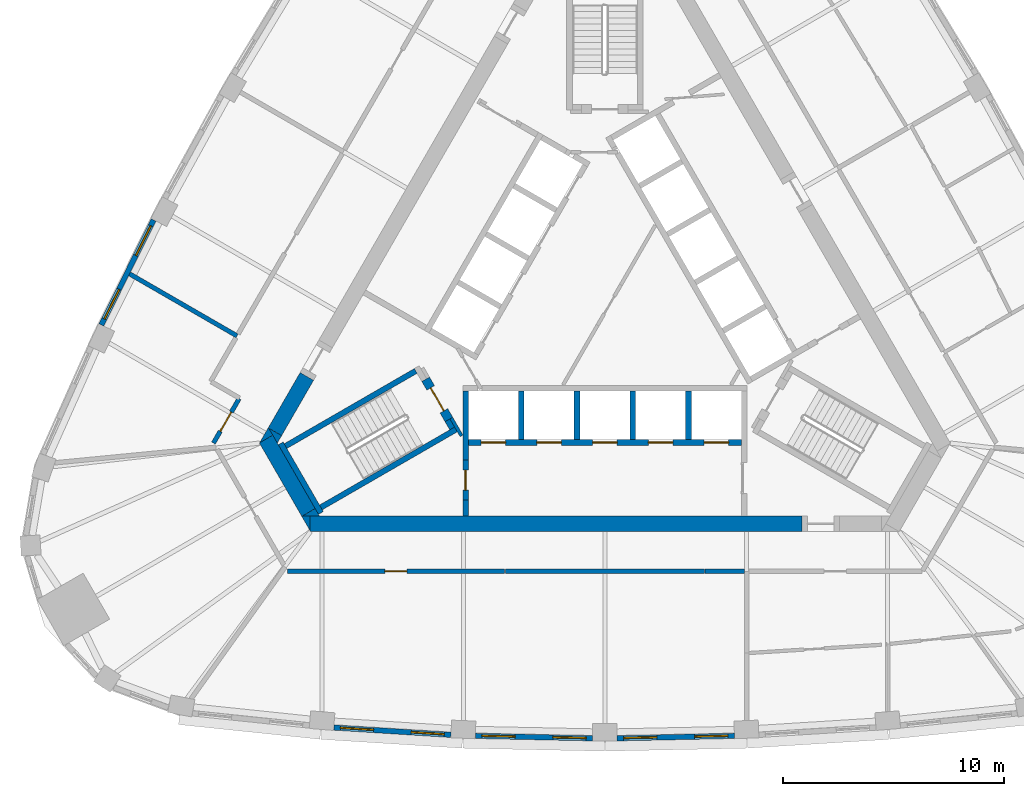
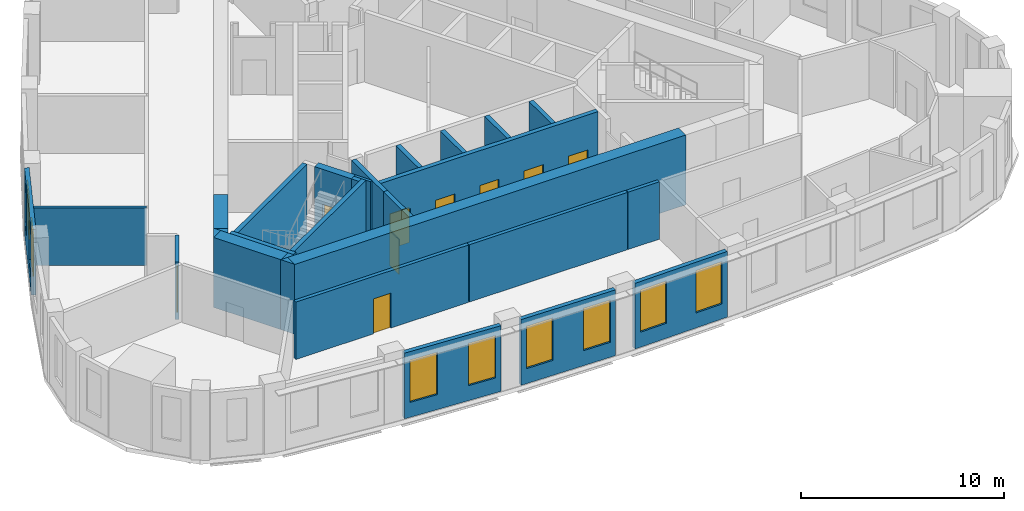
# One storey, part 3 of 10: 30 walls, 9 doors, 8 windows, 17 openings.
"""IFC4 building model written with IfcOpenShell, lengths in metres."""

import ifcopenshell
import ifcopenshell.guid

model = None  # the IFC model being written
_history = None  # IfcOwnerHistory: only IFC2X3 demands one
_inside = {}  # id of a spatial element -> (the spatial element, [elements in it])
_under = {}  # id of a project, library or spatial element -> (it, [spatial elements below it])
_declared = {}  # id of a project -> (the project, [libraries it declares])
_typed = {}  # id of a type object -> (the type object, [elements of that type])
_made_of = {}  # id of a material, layer set ... -> (it, [elements and type objects made of it])


def new_model(schema):
    """Start an empty IFC model of exactly this schema.

    Asked for "IFC4X3", IfcOpenShell would pick the latest addendum, in which some entities
    have other attributes; the version numbers below select the first issue.
    IFC2X3 requires an IfcOwnerHistory on every rooted entity: one is made here for all.
    """
    global model, _history
    if schema == "IFC4X3":
        model = ifcopenshell.file(schema_version=(4, 3, 0, 0))
    else:
        model = ifcopenshell.file(schema=schema)
    _inside.clear()
    _under.clear()
    _declared.clear()
    _typed.clear()
    _made_of.clear()
    _history = None
    if model.schema == "IFC2X3":
        org = make("IfcOrganization", Name="unknown")
        user = make(
            "IfcPersonAndOrganization",
            ThePerson=make("IfcPerson", FamilyName="unknown"),
            TheOrganization=org,
        )
        app = make(
            "IfcApplication",
            ApplicationDeveloper=org,
            Version="unknown",
            ApplicationFullName="unknown",
            ApplicationIdentifier="unknown",
        )
        _history = make(
            "IfcOwnerHistory",
            OwningUser=user,
            OwningApplication=app,
            ChangeAction="ADDED",
            CreationDate=0,
        )
    return model


def make(cls, **values):
    """One entity of the class cls with the attributes given. An attribute that is None is left unset."""
    return model.create_entity(
        cls, **{name: value for name, value in values.items() if value is not None}
    )


def rooted(cls, **values):
    """An entity with a GlobalId (a new one), such as an element, a storey or a relation."""
    return make(cls, GlobalId=ifcopenshell.guid.new(), OwnerHistory=_history, **values)


def si_unit(unit_type, name, prefix=None):
    """IfcSIUnit, for example si_unit("LENGTHUNIT", "METRE", prefix="MILLI")."""
    return make("IfcSIUnit", UnitType=unit_type, Prefix=prefix, Name=name)


def assignment(units):
    """IfcUnitAssignment: the units of a project."""
    return None if units is None else make("IfcUnitAssignment", Units=units)


def point(xyz):
    """IfcCartesianPoint."""
    return None if xyz is None else make("IfcCartesianPoint", Coordinates=xyz)


def direction(xyz):
    """IfcDirection."""
    return None if xyz is None else make("IfcDirection", DirectionRatios=xyz)


def frame(location, z_axis=None, x_axis=None):
    """IfcAxis2Placement3D, a coordinate frame: its origin and axes. An axis left out is left unset."""
    return make(
        "IfcAxis2Placement3D",
        Location=point(location),
        Axis=direction(z_axis),
        RefDirection=direction(x_axis),
    )


def frame_2d(location, x_axis=None):
    """IfcAxis2Placement2D, a coordinate frame in the plane: its origin and x axis."""
    return make(
        "IfcAxis2Placement2D", Location=point(location), RefDirection=direction(x_axis)
    )


def origin():
    """The frame at (0, 0, 0) with its axes left unset."""
    return frame((0.0, 0.0, 0.0))


def place(relative_to, where):
    """IfcLocalPlacement: puts the frame where relative to a parent placement (None: the world)."""
    return make(
        "IfcLocalPlacement", PlacementRelTo=relative_to, RelativePlacement=where
    )


def context(
    kind, dimensions, precision=None, world=None, true_north=None, identifier=None
):
    """IfcGeometricRepresentationContext, for example the 3D "Model" context."""
    return make(
        "IfcGeometricRepresentationContext",
        ContextIdentifier=identifier,
        ContextType=kind,
        CoordinateSpaceDimension=dimensions,
        Precision=precision,
        WorldCoordinateSystem=world,
        TrueNorth=true_north,
    )


def subcontext(parent, identifier, kind, view, scale=None):
    """IfcGeometricRepresentationSubContext, for example "Body" below "Model"."""
    return make(
        "IfcGeometricRepresentationSubContext",
        ContextIdentifier=identifier,
        ContextType=kind,
        ParentContext=parent,
        TargetScale=scale,
        TargetView=view,
    )


def project(units=None, contexts=None):
    """IfcProject with its units and contexts."""
    return rooted(
        "IfcProject",
        Name="project",
        RepresentationContexts=contexts,
        UnitsInContext=assignment(units),
    )


def spatial(cls, under=None, at=None, **own):
    """A site, building, storey or space (cls), placed at a placement, below another one or the project."""
    s = rooted(cls, ObjectPlacement=at, **own)
    if under is not None:
        _under.setdefault(under.id(), (under, []))[1].append(s)
    return s


def polyline(points):
    """IfcPolyline through the points."""
    return make("IfcPolyline", Points=[point(p) for p in points])


def profile(cls, at=None, kind="AREA", **sizes):
    """A parametric profile (cls). Its sizes go by their IFC names, for example OverallWidth=200.0."""
    return make(cls, ProfileType=kind, Position=at, **sizes)


def rectangle(**sizes):
    """IfcRectangleProfileDef."""
    return profile("IfcRectangleProfileDef", **sizes)


def outline(outer, holes=None, kind="AREA"):
    """IfcArbitraryClosedProfileDef: a profile drawn as a closed curve; with holes, ...WithVoids."""
    if holes is None:
        return make("IfcArbitraryClosedProfileDef", ProfileType=kind, OuterCurve=outer)
    return make(
        "IfcArbitraryProfileDefWithVoids",
        ProfileType=kind,
        OuterCurve=outer,
        InnerCurves=holes,
    )


def extrude(swept, where, along, depth):
    """IfcExtrudedAreaSolid: the profile swept, set in the frame where, extruded along a direction by depth."""
    return make(
        "IfcExtrudedAreaSolid",
        SweptArea=swept,
        Position=where,
        ExtrudedDirection=direction(along),
        Depth=depth,
    )


def shape(context_of_items, identifier, shape_type, items):
    """IfcShapeRepresentation: the items that make up one representation, for example the "Body"."""
    return make(
        "IfcShapeRepresentation",
        ContextOfItems=context_of_items,
        RepresentationIdentifier=identifier,
        RepresentationType=shape_type,
        Items=items,
    )


def material(Name=None, Category=None):
    """IfcMaterial."""
    return make("IfcMaterial", Name=Name, Category=Category)


def layer(
    of_material, thickness, ventilated=None, Name=None, Category=None, Priority=None
):
    """IfcMaterialLayer: one layer of a wall or slab, of a material (None: an air gap)."""
    return make(
        "IfcMaterialLayer",
        Material=of_material,
        LayerThickness=thickness,
        IsVentilated=ventilated,
        Name=Name,
        Category=Category,
        Priority=Priority,
    )


def layer_set(layers, Name=None):
    """IfcMaterialLayerSet."""
    return make("IfcMaterialLayerSet", MaterialLayers=layers, LayerSetName=Name)


def made_of(thing, what):
    """Note that an element or type object is made of a material, layer set ...; save() writes the relation."""
    if what is not None:
        _made_of.setdefault(what.id(), (what, []))[1].append(thing)
    return thing


def type_object(cls, material=None, **own):
    """A type object (cls), such as IfcWallType, which elements share."""
    return made_of(rooted(cls, **own), material)


def element(
    cls,
    number,
    at=None,
    inside=None,
    cuts=None,
    type_object=None,
    material=None,
    context=None,
    identifier="Body",
    shape_type=None,
    held_by="IfcProductDefinitionShape",
    body=None,
    shapes=None,
    **own,
):
    """One element of the class cls, such as IfcWall. Its Tag is "e" and its number.

    at: its placement. inside: the storey or other place that contains it. cuts: it is an
    opening in that element (IfcRelVoidsElement). A single representation is given by context,
    identifier, shape_type and body (its items); several are given by shapes. held_by: the class
    of the entity that holds the representations. save() writes the other relations.
    """
    e = rooted(cls, Tag="e%d" % number, ObjectPlacement=at, **own)
    if body is not None:
        shapes = [shape(context, identifier, shape_type, body)]
    if shapes is not None:
        e.Representation = make(held_by, Representations=shapes)
    if inside is not None:
        _inside.setdefault(inside.id(), (inside, []))[1].append(e)
    if cuts is not None:
        rooted(
            "IfcRelVoidsElement", RelatingBuildingElement=cuts, RelatedOpeningElement=e
        )
    if type_object is not None:
        _typed.setdefault(type_object.id(), (type_object, []))[1].append(e)
    return made_of(e, material)


def fill(opening, filler):
    """IfcRelFillsElement: the door or window that sits in an opening."""
    return rooted(
        "IfcRelFillsElement",
        RelatingOpeningElement=opening,
        RelatedBuildingElement=filler,
    )


def aggregate(whole, parts):
    """IfcRelAggregates: a whole, such as a stair, and the parts it consists of."""
    return rooted("IfcRelAggregates", RelatingObject=whole, RelatedObjects=parts)


def save(model, path):
    """Write the relations noted so far, then the file.

    IfcRelAggregates (storeys below a building ...), IfcRelContainedInSpatialStructure (elements
    in a storey), IfcRelDefinesByType, IfcRelAssociatesMaterial and IfcRelDeclares: one each for
    every whole, place, type object, material and project.
    """
    for whole, parts in _under.values():
        aggregate(whole, parts)
    for where, things in _inside.values():
        rooted(
            "IfcRelContainedInSpatialStructure",
            RelatedElements=things,
            RelatingStructure=where,
        )
    for kind, things in _typed.values():
        rooted("IfcRelDefinesByType", RelatedObjects=things, RelatingType=kind)
    for what, things in _made_of.values():
        rooted("IfcRelAssociatesMaterial", RelatedObjects=things, RelatingMaterial=what)
    for by, libraries in _declared.values():
        rooted("IfcRelDeclares", RelatingContext=by, RelatedDefinitions=libraries)
    model.write(path)


model = new_model("IFC4")

# Units and contexts
model_context = context("Model", 3, precision=1e-05, world=origin(), true_north=direction((0.0, 1.0)))
body_context = subcontext(model_context, "Body", "Model", "MODEL_VIEW")
ifc_project = project(units=[si_unit("LENGTHUNIT", "METRE"), si_unit("AREAUNIT", "SQUARE_METRE"), si_unit("VOLUMEUNIT", "CUBIC_METRE"), si_unit("PLANEANGLEUNIT", "RADIAN"), si_unit("MASSUNIT", "GRAM", prefix="KILO")], contexts=[model_context])

# Site, building, storey
site_placement = place(None, origin())
site = spatial("IfcSite", under=ifc_project, at=site_placement, CompositionType="ELEMENT")
building_placement = place(site_placement, origin())
building = spatial("IfcBuilding", under=site, at=building_placement, Name="Mestral Congress Tower", CompositionType="ELEMENT")
storey_placement = place(building_placement, frame((0.0, 0.0, 231.0)))
storey = spatial("IfcBuildingStorey", under=building, at=storey_placement, Name="L54", CompositionType="ELEMENT", Elevation=231.0)

# Walls
ifc_material_1 = material(Name="Concrete C60/75", Category="concrete")
ifc_layer_1 = layer(ifc_material_1, 0.699951171875)
ifc_layer_set_1 = layer_set([ifc_layer_1], Name="Concrete C60/75")
wall_type_1 = type_object("IfcWallType", Name="Core wall RC 700", PredefinedType="SOLIDWALL", material=ifc_layer_set_1)
wall_1_placement = place(storey_placement, frame((8.904296875, -10.0, 0.0), z_axis=(0.0, 0.0, 1.0), x_axis=(-1.0, 0.0, 0.0)))
element("IfcWall", 1, at=wall_1_placement, inside=storey, type_object=wall_type_1, Name="L54 core wall", PredefinedType="SOLIDWALL", context=body_context, shape_type="SweptSolid", body=[
    extrude(rectangle(XDim=22.226318359375, YDim=0.699951171875, at=frame_2d((11.11328125, 0.0))), origin(), (0.0, 0.0, 1.0), 4.199951171875),
])
placement = place(storey_placement, origin())
element("IfcWall", 2, at=placement, inside=storey, type_object=wall_type_1, Name="L54 core wall", PredefinedType="SOLIDWALL", context=body_context, shape_type="SweptSolid", body=[
    extrude(outline(polyline([(-13.7119140625, -9.64990234375), (-13.323974609375, -9.64990234375), (-13.323974609375, -10.322021484375), (-13.7119140625, -9.64990234375)])), origin(), (0.0, 0.0, 1.0), 4.199951171875),
])
wall_3_placement = place(storey_placement, frame((-13.40185546875, -9.4873046875, 0.0), z_axis=(0.0, 0.0, 1.0), x_axis=(-0.500020498207, 0.866013568815, 0.0)))
element("IfcWall", 3, at=wall_3_placement, inside=storey, type_object=wall_type_1, Name="L54 core wall", PredefinedType="SOLIDWALL", context=body_context, shape_type="SweptSolid", body=[
    extrude(rectangle(XDim=3.828857421875, YDim=0.699951171875, at=frame_2d((1.91455078125, 0.0))), origin(), (0.0, 0.0, 1.0), 4.199951171875),
])
element("IfcWall", 4, at=placement, inside=storey, type_object=wall_type_1, Name="L54 core wall", PredefinedType="SOLIDWALL", context=body_context, shape_type="SweptSolid", body=[
    extrude(outline(polyline([(-15.01416015625, -5.99462890625), (-15.611083984375, -6.33935546875), (-15.213134765625, -5.64990234375), (-15.01416015625, -5.99462890625)])), origin(), (0.0, 0.0, 1.0), 4.199951171875),
])
element("IfcWall", 5, at=placement, inside=storey, type_object=wall_type_1, Name="L54 core wall", PredefinedType="SOLIDWALL", context=body_context, shape_type="SweptSolid", body=[
    extrude(outline(polyline([(-12.90380859375, -9.64990234375), (-13.6796875, -9.64990234375), (-13.097900390625, -9.31396484375), (-12.90380859375, -9.64990234375)])), origin(), (0.0, 0.0, 1.0), 4.199951171875),
])
wall_6_placement = place(storey_placement, frame((-13.47509765625, -3.33935546875, 0.0), z_axis=(0.0, 0.0, 1.0), x_axis=(-0.499944726303, -0.866057313716, 0.0)))
element("IfcWall", 6, at=wall_6_placement, inside=storey, type_object=wall_type_1, Name="L54 core wall", PredefinedType="SOLIDWALL", context=body_context, shape_type="SweptSolid", body=[
    extrude(rectangle(XDim=2.884033203125, YDim=0.699951171875, at=frame_2d((1.44189453125, 0.0))), origin(), (0.0, 0.0, 1.0), 4.199951171875),
])
element("IfcWall", 7, at=placement, inside=storey, type_object=wall_type_1, Name="L54 core wall", PredefinedType="SOLIDWALL", context=body_context, shape_type="SweptSolid", body=[
    extrude(outline(polyline([(-14.80908203125, -6.35009765625), (-15.197021484375, -5.677978515625), (-14.614990234375, -6.013916015625), (-14.80908203125, -6.35009765625)])), origin(), (0.0, 0.0, 1.0), 4.199951171875),
])

# Wall, openings, windows
ifc_material_2 = material(Name="Precast concrete C40/50 with limestone facing", Category="masonry")
ifc_layer_2 = layer(ifc_material_2, 0.239990234375)
ifc_layer_set_2 = layer_set([ifc_layer_2], Name="Precast concrete C40/50 with limestone facing")
wall_type_2 = type_object("IfcWallType", Name="Facade stone wall 240", PredefinedType="SOLIDWALL", material=ifc_layer_set_2)
wall_8_placement = place(storey_placement, frame((-12.253173828125, -19.21337890625, 0.0), z_axis=(0.0, 0.0, 1.0), x_axis=(0.9980633213, -0.062206162685, 0.0)))
wall_8 = element("IfcWall", 8, at=wall_8_placement, inside=storey, type_object=wall_type_2, Name="Facade wall F0-01", PredefinedType="SOLIDWALL", context=body_context, shape_type="SweptSolid", body=[
    extrude(rectangle(XDim=5.29833984375, YDim=0.239990234375, at=frame_2d((2.649169921875, 0.0))), origin(), (0.0, 0.0, 1.0), 3.949951171875),
])
opening_1_placement = place(wall_8_placement, frame((0.29443359375, 0.0, 0.89990234375)))
opening_1 = element("IfcOpeningElement", 9, at=opening_1_placement, cuts=wall_8, Name="Opening W4", PredefinedType="OPENING", context=body_context, shape_type="SweptSolid", body=[
    extrude(rectangle(XDim=1.5, YDim=2.550048828125, at=frame_2d((0.75, 1.27490234375))), frame((0.0, 0.1298828125, 0.0), z_axis=(0.0, -1.0, 0.0), x_axis=(1.0, 0.0, 0.0)), (0.0, 0.0, 1.0), 0.260009765625),
])
opening_2_placement = place(wall_8_placement, frame((3.503662109375, 0.0, 0.89990234375)))
opening_2 = element("IfcOpeningElement", 10, at=opening_2_placement, cuts=wall_8, Name="Opening W4", PredefinedType="OPENING", context=body_context, shape_type="SweptSolid", body=[
    extrude(rectangle(XDim=1.5, YDim=2.550048828125, at=frame_2d((0.75, 1.27490234375))), frame((0.0, 0.1298828125, 0.0), z_axis=(0.0, -1.0, 0.0), x_axis=(1.0, 0.0, 0.0)), (0.0, 0.0, 1.0), 0.260009765625),
])
ifc_material_3 = material(Name="Clear low-emissivity double glazing", Category="glass")
window_type = type_object("IfcWindowType", Name="Facade punched window 1500 x 2550 sill 900", PartitioningType="SINGLE_PANEL", PredefinedType="WINDOW", material=ifc_material_3)
window_1_placement = place(opening_1_placement, origin())
window_1 = element("IfcWindow", 11, at=window_1_placement, inside=storey, type_object=window_type, Name="Window F0-01a", OverallHeight=2.550048828125, OverallWidth=1.5, PartitioningType="SINGLE_PANEL", PredefinedType="WINDOW", context=body_context, shape_type="SweptSolid", body=[
    extrude(rectangle(XDim=1.5, YDim=2.550048828125, at=frame_2d((0.75, 1.27490234375))), frame((0.0, 0.0400390625, 0.0), z_axis=(0.0, -1.0, 0.0), x_axis=(1.0, 0.0, 0.0)), (0.0, 0.0, 1.0), 0.06005859375),
])
fill(opening_1, window_1)
window_2_placement = place(opening_2_placement, origin())
window_2 = element("IfcWindow", 12, at=window_2_placement, inside=storey, type_object=window_type, Name="Window F0-01b", OverallHeight=2.550048828125, OverallWidth=1.5, PartitioningType="SINGLE_PANEL", PredefinedType="WINDOW", context=body_context, shape_type="SweptSolid", body=[
    extrude(rectangle(XDim=1.5, YDim=2.550048828125, at=frame_2d((0.75, 1.27490234375))), frame((0.0, 0.0400390625, 0.0), z_axis=(0.0, -1.0, 0.0), x_axis=(1.0, 0.0, 0.0)), (0.0, 0.0, 1.0), 0.06005859375),
])
fill(opening_2, window_2)

wall_9_placement = place(storey_placement, frame((-5.853515625, -19.589111328125, 0.0), z_axis=(0.0, 0.0, 1.0), x_axis=(0.999784035184, -0.020781794712, 0.0)))
wall_9 = element("IfcWall", 13, at=wall_9_placement, inside=storey, type_object=wall_type_2, Name="Facade wall F0-02", PredefinedType="SOLIDWALL", context=body_context, shape_type="SweptSolid", body=[
    extrude(rectangle(XDim=5.29833984375, YDim=0.239990234375, at=frame_2d((2.649169921875, 0.0))), origin(), (0.0, 0.0, 1.0), 3.949951171875),
])
opening_3_placement = place(wall_9_placement, frame((0.29443359375, 0.0, 0.89990234375)))
opening_3 = element("IfcOpeningElement", 14, at=opening_3_placement, cuts=wall_9, Name="Opening W4", PredefinedType="OPENING", context=body_context, shape_type="SweptSolid", body=[
    extrude(rectangle(XDim=1.5, YDim=2.550048828125, at=frame_2d((0.75, 1.27490234375))), frame((0.0, 0.1298828125, 0.0), z_axis=(0.0, -1.0, 0.0), x_axis=(1.0, 0.0, 0.0)), (0.0, 0.0, 1.0), 0.260009765625),
])
opening_4_placement = place(wall_9_placement, frame((3.503662109375, 0.0, 0.89990234375)))
opening_4 = element("IfcOpeningElement", 15, at=opening_4_placement, cuts=wall_9, Name="Opening W4", PredefinedType="OPENING", context=body_context, shape_type="SweptSolid", body=[
    extrude(rectangle(XDim=1.5, YDim=2.550048828125, at=frame_2d((0.75, 1.27490234375))), frame((0.0, 0.1298828125, 0.0), z_axis=(0.0, -1.0, 0.0), x_axis=(1.0, 0.0, 0.0)), (0.0, 0.0, 1.0), 0.260009765625),
])
window_3_placement = place(opening_3_placement, origin())
window_3 = element("IfcWindow", 16, at=window_3_placement, inside=storey, type_object=window_type, Name="Window F0-02a", OverallHeight=2.550048828125, OverallWidth=1.5, PartitioningType="SINGLE_PANEL", PredefinedType="WINDOW", context=body_context, shape_type="SweptSolid", body=[
    extrude(rectangle(XDim=1.5, YDim=2.550048828125, at=frame_2d((0.75, 1.27490234375))), frame((0.0, 0.0400390625, 0.0), z_axis=(0.0, -1.0, 0.0), x_axis=(1.0, 0.0, 0.0)), (0.0, 0.0, 1.0), 0.06005859375),
])
fill(opening_3, window_3)
window_4_placement = place(opening_4_placement, origin())
window_4 = element("IfcWindow", 17, at=window_4_placement, inside=storey, type_object=window_type, Name="Window F0-02b", OverallHeight=2.550048828125, OverallWidth=1.5, PartitioningType="SINGLE_PANEL", PredefinedType="WINDOW", context=body_context, shape_type="SweptSolid", body=[
    extrude(rectangle(XDim=1.5, YDim=2.550048828125, at=frame_2d((0.75, 1.27490234375))), frame((0.0, 0.0400390625, 0.0), z_axis=(0.0, -1.0, 0.0), x_axis=(1.0, 0.0, 0.0)), (0.0, 0.0, 1.0), 0.06005859375),
])
fill(opening_4, window_4)

wall_10_placement = place(storey_placement, frame((0.556396484375, -19.69921875, 0.0), z_axis=(0.0, 0.0, 1.0), x_axis=(0.999784035184, 0.020781794712, 0.0)))
wall_10 = element("IfcWall", 18, at=wall_10_placement, inside=storey, type_object=wall_type_2, Name="Facade wall F0-03", PredefinedType="SOLIDWALL", context=body_context, shape_type="SweptSolid", body=[
    extrude(rectangle(XDim=5.29833984375, YDim=0.239990234375, at=frame_2d((2.649169921875, 0.0))), origin(), (0.0, 0.0, 1.0), 3.949951171875),
])
opening_5_placement = place(wall_10_placement, frame((0.29443359375, 0.0, 0.89990234375)))
opening_5 = element("IfcOpeningElement", 19, at=opening_5_placement, cuts=wall_10, Name="Opening W4", PredefinedType="OPENING", context=body_context, shape_type="SweptSolid", body=[
    extrude(rectangle(XDim=1.5, YDim=2.550048828125, at=frame_2d((0.75, 1.27490234375))), frame((0.0, 0.1298828125, 0.0), z_axis=(0.0, -1.0, 0.0), x_axis=(1.0, 0.0, 0.0)), (0.0, 0.0, 1.0), 0.260009765625),
])
opening_6_placement = place(wall_10_placement, frame((3.503662109375, 0.0, 0.89990234375)))
opening_6 = element("IfcOpeningElement", 20, at=opening_6_placement, cuts=wall_10, Name="Opening W4", PredefinedType="OPENING", context=body_context, shape_type="SweptSolid", body=[
    extrude(rectangle(XDim=1.5, YDim=2.550048828125, at=frame_2d((0.75, 1.27490234375))), frame((0.0, 0.1298828125, 0.0), z_axis=(0.0, -1.0, 0.0), x_axis=(1.0, 0.0, 0.0)), (0.0, 0.0, 1.0), 0.260009765625),
])
window_5_placement = place(opening_5_placement, origin())
window_5 = element("IfcWindow", 21, at=window_5_placement, inside=storey, type_object=window_type, Name="Window F0-03a", OverallHeight=2.550048828125, OverallWidth=1.5, PartitioningType="SINGLE_PANEL", PredefinedType="WINDOW", context=body_context, shape_type="SweptSolid", body=[
    extrude(rectangle(XDim=1.5, YDim=2.550048828125, at=frame_2d((0.75, 1.27490234375))), frame((0.0, 0.0400390625, 0.0), z_axis=(0.0, -1.0, 0.0), x_axis=(1.0, 0.0, 0.0)), (0.0, 0.0, 1.0), 0.06005859375),
])
fill(opening_5, window_5)
window_6_placement = place(opening_6_placement, origin())
window_6 = element("IfcWindow", 22, at=window_6_placement, inside=storey, type_object=window_type, Name="Window F0-03b", OverallHeight=2.550048828125, OverallWidth=1.5, PartitioningType="SINGLE_PANEL", PredefinedType="WINDOW", context=body_context, shape_type="SweptSolid", body=[
    extrude(rectangle(XDim=1.5, YDim=2.550048828125, at=frame_2d((0.75, 1.27490234375))), frame((0.0, 0.0400390625, 0.0), z_axis=(0.0, -1.0, 0.0), x_axis=(1.0, 0.0, 0.0)), (0.0, 0.0, 1.0), 0.06005859375),
])
fill(opening_6, window_6)

wall_11_placement = place(storey_placement, frame((-20.407470703125, 3.739501953125, 0.0), z_axis=(0.0, 0.0, 1.0), x_axis=(-0.445129582031, -0.895466166419, 0.0)))
wall_11 = element("IfcWall", 23, at=wall_11_placement, inside=storey, type_object=wall_type_2, Name="Facade wall F2-04", PredefinedType="SOLIDWALL", context=body_context, shape_type="SweptSolid", body=[
    extrude(rectangle(XDim=5.29833984375, YDim=0.239990234375, at=frame_2d((2.649169921875, 0.0))), origin(), (0.0, 0.0, 1.0), 3.949951171875),
])
opening_7_placement = place(wall_11_placement, frame((0.294677734375, 0.0, 0.89990234375)))
opening_7 = element("IfcOpeningElement", 24, at=opening_7_placement, cuts=wall_11, Name="Opening W4", PredefinedType="OPENING", context=body_context, shape_type="SweptSolid", body=[
    extrude(rectangle(XDim=1.5, YDim=2.550048828125, at=frame_2d((0.75, 1.27490234375))), frame((0.0, 0.1298828125, 0.0), z_axis=(0.0, -1.0, 0.0), x_axis=(1.0, 0.0, 0.0)), (0.0, 0.0, 1.0), 0.260009765625),
])
opening_8_placement = place(wall_11_placement, frame((3.503662109375, 0.0, 0.89990234375)))
opening_8 = element("IfcOpeningElement", 25, at=opening_8_placement, cuts=wall_11, Name="Opening W4", PredefinedType="OPENING", context=body_context, shape_type="SweptSolid", body=[
    extrude(rectangle(XDim=1.5, YDim=2.550048828125, at=frame_2d((0.75, 1.27490234375))), frame((0.0, 0.1298828125, 0.0), z_axis=(0.0, -1.0, 0.0), x_axis=(1.0, 0.0, 0.0)), (0.0, 0.0, 1.0), 0.260009765625),
])
window_7_placement = place(opening_7_placement, origin())
window_7 = element("IfcWindow", 26, at=window_7_placement, inside=storey, type_object=window_type, Name="Window F2-04a", OverallHeight=2.550048828125, OverallWidth=1.5, PartitioningType="SINGLE_PANEL", PredefinedType="WINDOW", context=body_context, shape_type="SweptSolid", body=[
    extrude(rectangle(XDim=1.5, YDim=2.550048828125, at=frame_2d((0.75, 1.27490234375))), frame((0.0, 0.0400390625, 0.0), z_axis=(0.0, -1.0, 0.0), x_axis=(1.0, 0.0, 0.0)), (0.0, 0.0, 1.0), 0.06005859375),
])
fill(opening_7, window_7)
window_8_placement = place(opening_8_placement, origin())
window_8 = element("IfcWindow", 27, at=window_8_placement, inside=storey, type_object=window_type, Name="Window F2-04b", OverallHeight=2.550048828125, OverallWidth=1.5, PartitioningType="SINGLE_PANEL", PredefinedType="WINDOW", context=body_context, shape_type="SweptSolid", body=[
    extrude(rectangle(XDim=1.5, YDim=2.550048828125, at=frame_2d((0.75, 1.27490234375))), frame((0.0, 0.0400390625, 0.0), z_axis=(0.0, -1.0, 0.0), x_axis=(1.0, 0.0, 0.0)), (0.0, 0.0, 1.0), 0.06005859375),
])
fill(opening_8, window_8)

# Wall
ifc_material_4 = material(Name="Dense masonry wall, plastered", Category="masonry")
ifc_layer_3 = layer(ifc_material_4, 0.199951171875)
ifc_layer_set_3 = layer_set([ifc_layer_3], Name="Dense masonry wall, plastered")
wall_type_3 = type_object("IfcWallType", Name="Office tenancy wall 200", PredefinedType="PARTITIONING", material=ifc_layer_set_3)
wall_12_placement = place(storey_placement, frame((-16.631103515625, -1.505859375, 0.0), z_axis=(0.0, 0.0, 1.0), x_axis=(-0.866045655253, 0.499964921787, 0.0)))
element("IfcWall", 28, at=wall_12_placement, inside=storey, type_object=wall_type_3, Name="Tenancy wall", PredefinedType="PARTITIONING", context=body_context, shape_type="SweptSolid", body=[
    extrude(rectangle(XDim=5.607421875, YDim=0.199951171875, at=frame_2d((2.8037109375, 0.0))), origin(), (0.0, 0.0, 1.0), 3.449951171875),
])

# Wall, opening, door
wall_13_placement = place(storey_placement, frame((-16.537109375, -4.34326171875, 0.0), z_axis=(0.0, 0.0, 1.0), x_axis=(-0.500014285048, -0.866017156151, 0.0)))
wall_13 = element("IfcWall", 29, at=wall_13_placement, inside=storey, type_object=wall_type_3, Name="Tenancy wall", PredefinedType="PARTITIONING", context=body_context, shape_type="SweptSolid", body=[
    extrude(rectangle(XDim=2.3173828125, YDim=0.199951171875, at=frame_2d((1.15869140625, 0.0))), origin(), (0.0, 0.0, 1.0), 3.449951171875),
])
opening_9_placement = place(wall_13_placement, frame((0.699951171875, 0.0, 0.0)))
opening_9 = element("IfcOpeningElement", 30, at=opening_9_placement, cuts=wall_13, Name="Opening O08-004", PredefinedType="OPENING", context=body_context, shape_type="SweptSolid", body=[
    extrude(rectangle(XDim=1.0, YDim=2.10009765625, at=frame_2d((0.5, 1.050048828125))), frame((0.0, 0.10986328125, 0.0), z_axis=(0.0, -1.0, 0.0), x_axis=(1.0, 0.0, 0.0)), (0.0, 0.0, 1.0), 0.219970703125),
])
ifc_material_5 = material(Name="Fire-rated timber door set", Category="wood")
door_type_1 = type_object("IfcDoorType", Name="Office tenancy entrance door 1000x2100", OperationType="SINGLE_SWING_LEFT", PredefinedType="DOOR", material=ifc_material_5)
door_1_placement = place(opening_9_placement, origin())
door_1 = element("IfcDoor", 31, at=door_1_placement, inside=storey, type_object=door_type_1, Name="Door O08-004", OperationType="SINGLE_SWING_RIGHT", OverallHeight=2.10009765625, OverallWidth=1.0, PredefinedType="DOOR", context=body_context, shape_type="SweptSolid", body=[
    extrude(rectangle(XDim=1.0, YDim=2.10009765625, at=frame_2d((0.5, 1.050048828125))), frame((0.0, 0.02490234375, 0.0), z_axis=(0.0, -1.0, 0.0), x_axis=(1.0, 0.0, 0.0)), (0.0, 0.0, 1.0), 0.050048828125),
])
fill(opening_9, door_1)

# Wall
wall_14_placement = place(storey_placement, frame((-4.5, -12.14990234375, 0.0), z_axis=(0.0, 0.0, 1.0), x_axis=(1.0, 0.0, 0.0)))
element("IfcWall", 32, at=wall_14_placement, inside=storey, type_object=wall_type_3, Name="Tenancy wall", PredefinedType="PARTITIONING", context=body_context, shape_type="SweptSolid", body=[
    extrude(rectangle(XDim=9.0, YDim=0.199951171875, at=frame_2d((4.5, 0.0))), origin(), (0.0, 0.0, 1.0), 3.449951171875),
])

# Wall, opening, door
wall_15_placement = place(storey_placement, frame((-14.34716796875, -12.14990234375, 0.0), z_axis=(0.0, 0.0, 1.0), x_axis=(1.0, 0.0, 0.0)))
wall_15 = element("IfcWall", 33, at=wall_15_placement, inside=storey, type_object=wall_type_3, Name="Tenancy wall", PredefinedType="PARTITIONING", context=body_context, shape_type="SweptSolid", body=[
    extrude(rectangle(XDim=9.817138671875, YDim=0.199951171875, at=frame_2d((4.90869140625, 0.0))), origin(), (0.0, 0.0, 1.0), 3.449951171875),
])
opening_10_placement = place(wall_15_placement, frame((4.39990234375, 0.0, 0.0)))
opening_10 = element("IfcOpeningElement", 34, at=opening_10_placement, cuts=wall_15, Name="Opening O08-006", PredefinedType="OPENING", context=body_context, shape_type="SweptSolid", body=[
    extrude(rectangle(XDim=1.0, YDim=2.10009765625, at=frame_2d((0.5, 1.050048828125))), frame((0.0, 0.10986328125, 0.0), z_axis=(0.0, -1.0, 0.0), x_axis=(1.0, 0.0, 0.0)), (0.0, 0.0, 1.0), 0.219970703125),
])
door_2_placement = place(opening_10_placement, origin())
door_2 = element("IfcDoor", 35, at=door_2_placement, inside=storey, type_object=door_type_1, Name="Door O08-006", OperationType="SINGLE_SWING_LEFT", OverallHeight=2.10009765625, OverallWidth=1.0, PredefinedType="DOOR", context=body_context, shape_type="SweptSolid", body=[
    extrude(rectangle(XDim=1.0, YDim=2.10009765625, at=frame_2d((0.5, 1.050048828125))), frame((0.0, 0.02490234375, 0.0), z_axis=(0.0, -1.0, 0.0), x_axis=(1.0, 0.0, 0.0)), (0.0, 0.0, 1.0), 0.050048828125),
])
fill(opening_10, door_2)

# Walls
wall_16_placement = place(storey_placement, frame((4.530029296875, -12.14990234375, 0.0), z_axis=(0.0, 0.0, 1.0), x_axis=(1.0, 0.0, 0.0)))
element("IfcWall", 36, at=wall_16_placement, inside=storey, type_object=wall_type_3, Name="Tenancy wall", PredefinedType="PARTITIONING", context=body_context, shape_type="SweptSolid", body=[
    extrude(rectangle(XDim=1.786865234375, YDim=0.199951171875, at=frame_2d((0.8935546875, 0.0))), origin(), (0.0, 0.0, 1.0), 3.449951171875),
])
ifc_layer_4 = layer(ifc_material_1, 0.25)
ifc_layer_set_4 = layer_set([ifc_layer_4], Name="Concrete C60/75")
wall_type_4 = type_object("IfcWallType", Name="Shaft wall RC 250", PredefinedType="SOLIDWALL", material=ifc_layer_set_4)
wall_17_placement = place(storey_placement, frame((-6.300048828125, -8.9248046875, 0.0), z_axis=(0.0, 0.0, 1.0), x_axis=(0.0, -1.0, 0.0)))
element("IfcWall", 37, at=wall_17_placement, inside=storey, type_object=wall_type_4, Name="L54 core wall", PredefinedType="SOLIDWALL", context=body_context, shape_type="SweptSolid", body=[
    extrude(rectangle(XDim=0.72509765625, YDim=0.25, at=frame_2d((0.362548828125, 0.0))), origin(), (0.0, 0.0, 1.0), 4.199951171875),
])
for number, where, z_axis, x_axis, name in (
    (38, (3.780029296875, -4.0, 0.0), (0.0, 0.0, 1.0), (0.0, -1.0, 0.0), "L54 core wall"),
    (39, (1.260009765625, -4.0, 0.0), (0.0, 0.0, 1.0), (0.0, -1.0, 0.0), "L54 core wall"),
    (40, (-1.260009765625, -4.0, 0.0), (0.0, 0.0, 1.0), (0.0, -1.0, 0.0), "L54 core wall"),
    (41, (-3.780029296875, -4.0, 0.0), (0.0, 0.0, 1.0), (0.0, -1.0, 0.0), "L54 core wall"),
):
    element("IfcWall", number, at=place(storey_placement, frame(where, z_axis=z_axis, x_axis=x_axis)), inside=storey, type_object=wall_type_4, Name=name, PredefinedType="SOLIDWALL", context=body_context, shape_type="SweptSolid", body=[
        extrude(rectangle(XDim=2.199951171875, YDim=0.25, at=frame_2d((1.10009765625, 0.0))), origin(), (0.0, 0.0, 1.0), 4.199951171875),
    ])
wall_18_placement = place(storey_placement, frame((-6.300048828125, -7.12451171875, 0.0), z_axis=(0.0, 0.0, 1.0), x_axis=(0.0, 1.0, 0.0)))
element("IfcWall", 42, at=wall_18_placement, inside=storey, type_object=wall_type_4, Name="L54 core wall", PredefinedType="SOLIDWALL", context=body_context, shape_type="SweptSolid", body=[
    extrude(rectangle(XDim=3.12451171875, YDim=0.25, at=frame_2d((1.562255859375, 0.0))), origin(), (0.0, 0.0, 1.0), 4.199951171875),
])

# Wall, openings, doors
wall_19_placement = place(storey_placement, frame((-6.175048828125, -6.324951171875, 0.0), z_axis=(0.0, 0.0, 1.0), x_axis=(1.0, 0.0, 0.0)))
wall_19 = element("IfcWall", 43, at=wall_19_placement, inside=storey, type_object=wall_type_4, Name="L54 door wall", PredefinedType="SOLIDWALL", context=body_context, shape_type="SweptSolid", body=[
    extrude(rectangle(XDim=12.35009765625, YDim=0.25, at=frame_2d((6.175048828125, 0.0))), origin(), (0.0, 0.0, 1.0), 4.199951171875),
])
opening_11_placement = place(wall_19_placement, frame((0.5849609375, 0.0, 0.0)))
opening_11 = element("IfcOpeningElement", 44, at=opening_11_placement, cuts=wall_19, Name="Opening LD-SOB1", PredefinedType="OPENING", context=body_context, shape_type="SweptSolid", body=[
    extrude(rectangle(XDim=1.10009765625, YDim=2.10009765625, at=frame_2d((0.550048828125, 1.050048828125))), frame((0.0, 0.135009765625, 0.0), z_axis=(0.0, -1.0, 0.0), x_axis=(1.0, 0.0, 0.0)), (0.0, 0.0, 1.0), 0.27001953125),
])
opening_12_placement = place(wall_19_placement, frame((3.10498046875, 0.0, 0.0)))
opening_12 = element("IfcOpeningElement", 45, at=opening_12_placement, cuts=wall_19, Name="Opening LD-SOB2", PredefinedType="OPENING", context=body_context, shape_type="SweptSolid", body=[
    extrude(rectangle(XDim=1.10009765625, YDim=2.10009765625, at=frame_2d((0.550048828125, 1.050048828125))), frame((0.0, 0.135009765625, 0.0), z_axis=(0.0, -1.0, 0.0), x_axis=(1.0, 0.0, 0.0)), (0.0, 0.0, 1.0), 0.27001953125),
])
opening_13_placement = place(wall_19_placement, frame((5.625, 0.0, 0.0)))
opening_13 = element("IfcOpeningElement", 46, at=opening_13_placement, cuts=wall_19, Name="Opening LD-SOB3", PredefinedType="OPENING", context=body_context, shape_type="SweptSolid", body=[
    extrude(rectangle(XDim=1.10009765625, YDim=2.10009765625, at=frame_2d((0.550048828125, 1.050048828125))), frame((0.0, 0.135009765625, 0.0), z_axis=(0.0, -1.0, 0.0), x_axis=(1.0, 0.0, 0.0)), (0.0, 0.0, 1.0), 0.27001953125),
])
opening_14_placement = place(wall_19_placement, frame((8.14501953125, 0.0, 0.0)))
opening_14 = element("IfcOpeningElement", 47, at=opening_14_placement, cuts=wall_19, Name="Opening LD-SOB4", PredefinedType="OPENING", context=body_context, shape_type="SweptSolid", body=[
    extrude(rectangle(XDim=1.10009765625, YDim=2.10009765625, at=frame_2d((0.550048828125, 1.050048828125))), frame((0.0, 0.135009765625, 0.0), z_axis=(0.0, -1.0, 0.0), x_axis=(1.0, 0.0, 0.0)), (0.0, 0.0, 1.0), 0.27001953125),
])
opening_15_placement = place(wall_19_placement, frame((10.6650390625, 0.0, 0.0)))
opening_15 = element("IfcOpeningElement", 48, at=opening_15_placement, cuts=wall_19, Name="Opening LD-SOB5", PredefinedType="OPENING", context=body_context, shape_type="SweptSolid", body=[
    extrude(rectangle(XDim=1.10009765625, YDim=2.10009765625, at=frame_2d((0.550048828125, 1.050048828125))), frame((0.0, 0.135009765625, 0.0), z_axis=(0.0, -1.0, 0.0), x_axis=(1.0, 0.0, 0.0)), (0.0, 0.0, 1.0), 0.27001953125),
])
ifc_material_6 = material(Name="Fire-rated steel door set", Category="steel")
door_type_2 = type_object("IfcDoorType", Name="Core door LD 1100x2100", OperationType="DOUBLE_DOOR_SLIDING", PredefinedType="DOOR", material=ifc_material_6)
door_3_placement = place(opening_11_placement, origin())
door_3 = element("IfcDoor", 49, at=door_3_placement, inside=storey, type_object=door_type_2, Name="Door LD-SOB1", OperationType="DOUBLE_DOOR_SLIDING", OverallHeight=2.10009765625, OverallWidth=1.10009765625, PredefinedType="DOOR", context=body_context, shape_type="SweptSolid", body=[
    extrude(rectangle(XDim=1.10009765625, YDim=2.10009765625, at=frame_2d((0.550048828125, 1.050048828125))), frame((0.0, 0.02490234375, 0.0), z_axis=(0.0, -1.0, 0.0), x_axis=(1.0, 0.0, 0.0)), (0.0, 0.0, 1.0), 0.050048828125),
])
fill(opening_11, door_3)
door_4_placement = place(opening_12_placement, origin())
door_4 = element("IfcDoor", 50, at=door_4_placement, inside=storey, type_object=door_type_2, Name="Door LD-SOB2", OperationType="DOUBLE_DOOR_SLIDING", OverallHeight=2.10009765625, OverallWidth=1.10009765625, PredefinedType="DOOR", context=body_context, shape_type="SweptSolid", body=[
    extrude(rectangle(XDim=1.10009765625, YDim=2.10009765625, at=frame_2d((0.550048828125, 1.050048828125))), frame((0.0, 0.02490234375, 0.0), z_axis=(0.0, -1.0, 0.0), x_axis=(1.0, 0.0, 0.0)), (0.0, 0.0, 1.0), 0.050048828125),
])
fill(opening_12, door_4)
door_5_placement = place(opening_13_placement, origin())
door_5 = element("IfcDoor", 51, at=door_5_placement, inside=storey, type_object=door_type_2, Name="Door LD-SOB3", OperationType="DOUBLE_DOOR_SLIDING", OverallHeight=2.10009765625, OverallWidth=1.10009765625, PredefinedType="DOOR", context=body_context, shape_type="SweptSolid", body=[
    extrude(rectangle(XDim=1.10009765625, YDim=2.10009765625, at=frame_2d((0.550048828125, 1.050048828125))), frame((0.0, 0.02490234375, 0.0), z_axis=(0.0, -1.0, 0.0), x_axis=(1.0, 0.0, 0.0)), (0.0, 0.0, 1.0), 0.050048828125),
])
fill(opening_13, door_5)
door_6_placement = place(opening_14_placement, origin())
door_6 = element("IfcDoor", 52, at=door_6_placement, inside=storey, type_object=door_type_2, Name="Door LD-SOB4", OperationType="DOUBLE_DOOR_SLIDING", OverallHeight=2.10009765625, OverallWidth=1.10009765625, PredefinedType="DOOR", context=body_context, shape_type="SweptSolid", body=[
    extrude(rectangle(XDim=1.10009765625, YDim=2.10009765625, at=frame_2d((0.550048828125, 1.050048828125))), frame((0.0, 0.02490234375, 0.0), z_axis=(0.0, -1.0, 0.0), x_axis=(1.0, 0.0, 0.0)), (0.0, 0.0, 1.0), 0.050048828125),
])
fill(opening_14, door_6)
door_7_placement = place(opening_15_placement, origin())
door_7 = element("IfcDoor", 53, at=door_7_placement, inside=storey, type_object=door_type_2, Name="Door LD-SOB5", OperationType="DOUBLE_DOOR_SLIDING", OverallHeight=2.10009765625, OverallWidth=1.10009765625, PredefinedType="DOOR", context=body_context, shape_type="SweptSolid", body=[
    extrude(rectangle(XDim=1.10009765625, YDim=2.10009765625, at=frame_2d((0.550048828125, 1.050048828125))), frame((0.0, 0.02490234375, 0.0), z_axis=(0.0, -1.0, 0.0), x_axis=(1.0, 0.0, 0.0)), (0.0, 0.0, 1.0), 0.050048828125),
])
fill(opening_15, door_7)

# Wall, opening, door
wall_20_placement = place(storey_placement, frame((-6.300048828125, -7.12451171875, 0.0), z_axis=(0.0, 0.0, 1.0), x_axis=(0.0, -1.0, 0.0)))
wall_20 = element("IfcWall", 54, at=wall_20_placement, inside=storey, type_object=wall_type_4, Name="L54 door wall", PredefinedType="SOLIDWALL", context=body_context, shape_type="SweptSolid", body=[
    extrude(rectangle(XDim=1.800048828125, YDim=0.25, at=frame_2d((0.89990234375, 0.0))), origin(), (0.0, 0.0, 1.0), 4.199951171875),
])
opening_16_placement = place(wall_20_placement, frame((0.449951171875, 0.0, 0.0)))
opening_16 = element("IfcOpeningElement", 55, at=opening_16_placement, cuts=wall_20, Name="Opening TD3", PredefinedType="OPENING", context=body_context, shape_type="SweptSolid", body=[
    extrude(rectangle(XDim=0.89990234375, YDim=2.10009765625, at=frame_2d((0.449951171875, 1.050048828125))), frame((0.0, 0.135009765625, 0.0), z_axis=(0.0, -1.0, 0.0), x_axis=(1.0, 0.0, 0.0)), (0.0, 0.0, 1.0), 0.27001953125),
])
door_type_3 = type_object("IfcDoorType", Name="Core door SR 900x2100", OperationType="SINGLE_SWING_LEFT", PredefinedType="DOOR", material=ifc_material_6)
door_8_placement = place(opening_16_placement, origin())
door_8 = element("IfcDoor", 56, at=door_8_placement, inside=storey, type_object=door_type_3, Name="Door TD3", OperationType="SINGLE_SWING_LEFT", OverallHeight=2.10009765625, OverallWidth=0.89990234375, PredefinedType="DOOR", context=body_context, shape_type="SweptSolid", body=[
    extrude(rectangle(XDim=0.89990234375, YDim=2.10009765625, at=frame_2d((0.449951171875, 1.050048828125))), frame((0.0, 0.02490234375, 0.0), z_axis=(0.0, -1.0, 0.0), x_axis=(1.0, 0.0, 0.0)), (0.0, 0.0, 1.0), 0.050048828125),
])
fill(opening_16, door_8)

# Walls
ifc_layer_5 = layer(ifc_material_1, 0.14990234375)
ifc_layer_set_5 = layer_set([ifc_layer_5], Name="Concrete C60/75")
wall_type_5 = type_object("IfcWallType", Name="Shaft wall RC 250 door-wall 150", PredefinedType="SOLIDWALL", material=ifc_layer_set_5)
wall_21_placement = place(storey_placement, frame((-6.48046875, -6.026611328125, 0.0), z_axis=(0.0, 0.0, 1.0), x_axis=(-0.499927229454, 0.866067413802, 0.0)))
element("IfcWall", 57, at=wall_21_placement, inside=storey, type_object=wall_type_5, Name="L54 core wall", PredefinedType="PARTITIONING", context=body_context, shape_type="SweptSolid", body=[
    extrude(rectangle(XDim=0.928955078125, YDim=0.14990234375, at=frame_2d((0.46435546875, 0.0))), origin(), (0.0, 0.0, 1.0), 4.199951171875),
])
ifc_layer_6 = layer(ifc_material_1, 0.25)
ifc_layer_set_6 = layer_set([ifc_layer_6], Name="Concrete C60/75")
wall_type_6 = type_object("IfcWallType", Name="Stair wall RC 250", PredefinedType="SOLIDWALL", material=ifc_layer_set_6)
wall_22_placement = place(storey_placement, frame((-12.839599609375, -9.510986328125, 0.0), z_axis=(0.0, 0.0, 1.0), x_axis=(-0.499997733992, 0.866026712061, 0.0)))
element("IfcWall", 58, at=wall_22_placement, inside=storey, type_object=wall_type_6, Name="L54 core wall", PredefinedType="SOLIDWALL", context=body_context, shape_type="SweptSolid", body=[
    extrude(rectangle(XDim=3.6337890625, YDim=0.25, at=frame_2d((1.81689453125, 0.0))), origin(), (0.0, 0.0, 1.0), 4.199951171875),
])
wall_23_placement = place(storey_placement, frame((-14.43994140625, -6.489501953125, 0.0), z_axis=(0.0, 0.0, 1.0), x_axis=(0.866022966069, 0.500004222222, 0.0)))
element("IfcWall", 59, at=wall_23_placement, inside=storey, type_object=wall_type_6, Name="L54 core wall", PredefinedType="SOLIDWALL", context=body_context, shape_type="SweptSolid", body=[
    extrude(rectangle(XDim=6.80029296875, YDim=0.25, at=frame_2d((3.400146484375, 0.0))), origin(), (0.0, 0.0, 1.0), 4.199951171875),
])
wall_24_placement = place(storey_placement, frame((-12.83984375, -9.2607421875, 0.0), z_axis=(0.0, 0.0, 1.0), x_axis=(0.866016039709, 0.500016218704, 0.0)))
element("IfcWall", 60, at=wall_24_placement, inside=storey, type_object=wall_type_6, Name="L54 core wall", PredefinedType="SOLIDWALL", context=body_context, shape_type="SweptSolid", body=[
    extrude(rectangle(XDim=7.050048828125, YDim=0.25, at=frame_2d((3.52490234375, 0.0))), origin(), (0.0, 0.0, 1.0), 4.199951171875),
])
wall_25_placement = place(storey_placement, frame((-6.905029296875, -5.68994140625, 0.0), z_axis=(0.0, 0.0, 1.0), x_axis=(-0.500402024738, 0.865793170242, 0.0)))
element("IfcWall", 61, at=wall_25_placement, inside=storey, type_object=wall_type_6, Name="L54 core wall", PredefinedType="SOLIDWALL", context=body_context, shape_type="SweptSolid", body=[
    extrude(rectangle(XDim=0.425048828125, YDim=0.25, at=frame_2d((0.21240234375, 0.0))), origin(), (0.0, 0.0, 1.0), 4.199951171875),
])

# Wall, opening, door
ifc_layer_7 = layer(ifc_material_1, 0.39990234375)
ifc_layer_set_7 = layer_set([ifc_layer_7], Name="Concrete C60/75")
wall_type_7 = type_object("IfcWallType", Name="Stair wall RC 250 door-wall 400", PredefinedType="SOLIDWALL", material=ifc_layer_set_7)
wall_26_placement = place(storey_placement, frame((-8.102783203125, -3.4658203125, 0.0), z_axis=(0.0, 0.0, 1.0), x_axis=(0.500078061341, -0.865980330357, 0.0)))
wall_26 = element("IfcWall", 62, at=wall_26_placement, inside=storey, type_object=wall_type_7, Name="L54 door wall", PredefinedType="SOLIDWALL", context=body_context, shape_type="SweptSolid", body=[
    extrude(rectangle(XDim=2.099853515625, YDim=0.39990234375, at=frame_2d((1.0498046875, 0.0))), origin(), (0.0, 0.0, 1.0), 4.199951171875),
])
opening_17_placement = place(wall_26_placement, frame((0.449951171875, 0.0, 0.0)))
opening_17 = element("IfcOpeningElement", 63, at=opening_17_placement, cuts=wall_26, Name="Opening ST-D3", PredefinedType="OPENING", context=body_context, shape_type="SweptSolid", body=[
    extrude(rectangle(XDim=1.199951171875, YDim=2.10009765625, at=frame_2d((0.60009765625, 1.050048828125))), frame((0.0, 0.2099609375, 0.0), z_axis=(0.0, -1.0, 0.0), x_axis=(1.0, 0.0, 0.0)), (0.0, 0.0, 1.0), 0.419921875),
])
door_type_4 = type_object("IfcDoorType", Name="Core door ST 1200x2100", OperationType="SINGLE_SWING_LEFT", PredefinedType="DOOR", material=ifc_material_6)
door_9_placement = place(opening_17_placement, origin())
door_9 = element("IfcDoor", 64, at=door_9_placement, inside=storey, type_object=door_type_4, Name="Door ST-D3", OperationType="SINGLE_SWING_LEFT", OverallHeight=2.10009765625, OverallWidth=1.199951171875, PredefinedType="DOOR", context=body_context, shape_type="SweptSolid", body=[
    extrude(rectangle(XDim=1.199951171875, YDim=2.10009765625, at=frame_2d((0.60009765625, 1.050048828125))), frame((0.0, 0.02490234375, 0.0), z_axis=(0.0, -1.0, 0.0), x_axis=(1.0, 0.0, 0.0)), (0.0, 0.0, 1.0), 0.050048828125),
])
fill(opening_17, door_9)

save(model, "model.ifc")
